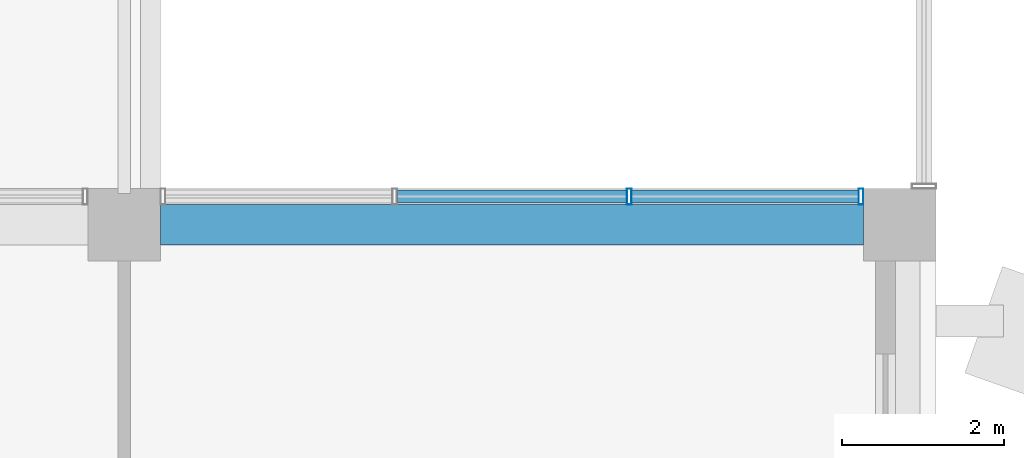
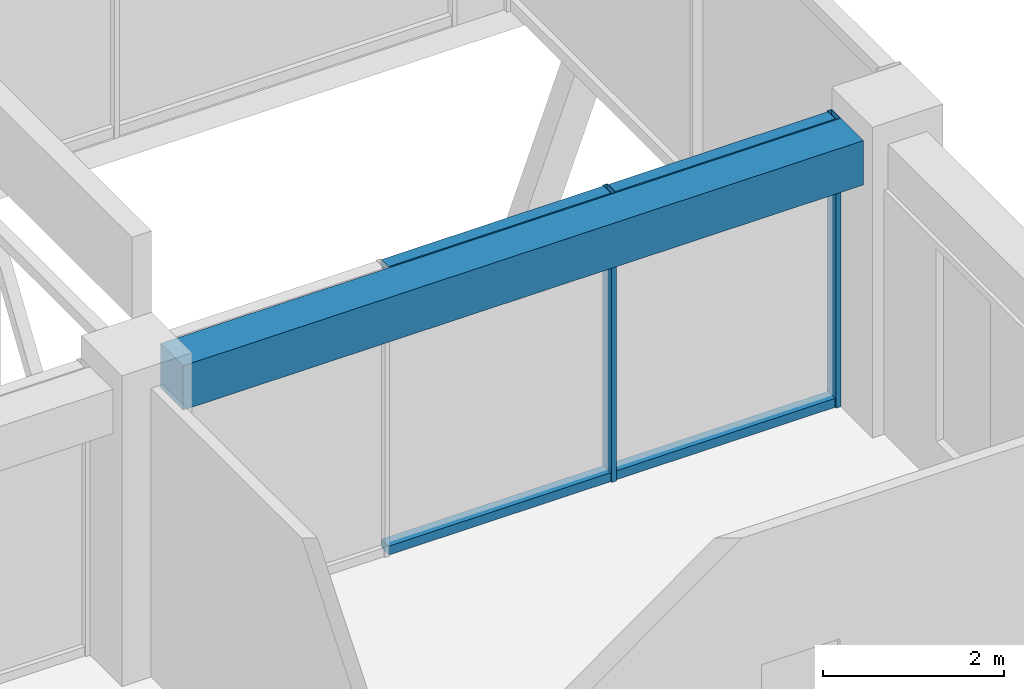
# One storey, part 18 of 38: 6 members, 1 beam, 1 element without a shape of its own.
"""IFC4 building model written with IfcOpenShell, lengths in metres."""

from ifc_helpers import new_model, si_unit, direction, frame, origin, origin_2d, place, context, subcontext, project, spatial, rectangle, hollow_rectangle, extrude, material, layer, layer_set, material_profile, profile_set, type_object, element, aggregate, save


model = new_model("IFC4")

# Units and contexts
model_context = context("Model", 3, precision=1e-05, world=origin(), true_north=direction((0.0, 1.0)))
body_context = subcontext(model_context, "Body", "Model", "MODEL_VIEW")
ifc_project = project(units=[si_unit("LENGTHUNIT", "METRE"), si_unit("AREAUNIT", "SQUARE_METRE"), si_unit("VOLUMEUNIT", "CUBIC_METRE"), si_unit("PLANEANGLEUNIT", "RADIAN"), si_unit("MASSUNIT", "GRAM", prefix="KILO")], contexts=[model_context])

# Site, building, storey
site_placement = place(None, origin())
site = spatial("IfcSite", under=ifc_project, at=site_placement, CompositionType="ELEMENT")
building_placement = place(site_placement, origin())
building = spatial("IfcBuilding", under=site, at=building_placement, Name="Nzadi Deep Aquarium and Research Tower", CompositionType="ELEMENT")
storey_placement = place(building_placement, frame((0.0, 0.0, 48.699951171875)))
storey = spatial("IfcBuildingStorey", under=building, at=storey_placement, Name="L09", CompositionType="ELEMENT", Elevation=48.699951171875)

# Curtain wall, members
ifc_material_1 = material(Name="Aluminium unitised frame", Category="aluminium")
ifc_layer = layer(ifc_material_1, 0.199951171875)
ifc_layer_set = layer_set([ifc_layer], Name="Aluminium unitised frame")
curtain_wall_type = type_object("IfcCurtainWallType", Name="Curtain wall Unitised 200", PredefinedType="NOTDEFINED", material=ifc_layer_set)
curtain_wall_placement = place(storey_placement, origin())
curtain_wall = element("IfcCurtainWall", 1, at=curtain_wall_placement, inside=storey, type_object=curtain_wall_type, Name="Unitised curtain wall blade A north L09", PredefinedType="NOTDEFINED")
ifc_material_2 = material(Name="Aluminium unitised frame", Category="aluminium")
ifc_material_profile_1 = material_profile(ifc_material_2, hollow_rectangle(XDim=0.199951171875, YDim=0.06005859375, WallThickness=0.0048828125, at=origin_2d()))
ifc_profile_set_1 = profile_set([ifc_material_profile_1], Name="Aluminium unitised frame")
member_type_1 = type_object("IfcMemberType", Name="Mullion 60x200 Unitised", PredefinedType="MULLION", material=ifc_profile_set_1)
member_1_placement = place(storey_placement, frame((44.64990234375, 18.75, 0.0), z_axis=(0.0, 0.0, 1.0), x_axis=(0.0, 1.0, 0.0)))
member_1 = element("IfcMember", 2, at=member_1_placement, type_object=member_type_1, Name="CW035 mullion 3", PredefinedType="MULLION", context=body_context, shape_type="SweptSolid", body=[
    extrude(hollow_rectangle(XDim=0.199951171875, YDim=0.06005859375, WallThickness=0.0048828125, at=origin_2d()), origin(), (0.0, 0.0, 1.0), 3.900146484375),
])
member_2_placement = place(storey_placement, frame((47.52001953125, 18.75, 0.0), z_axis=(0.0, 0.0, 1.0), x_axis=(0.0, 1.0, 0.0)))
member_2 = element("IfcMember", 3, at=member_2_placement, type_object=member_type_1, Name="CW035 mullion 4", PredefinedType="MULLION", context=body_context, shape_type="SweptSolid", body=[
    extrude(hollow_rectangle(XDim=0.199951171875, YDim=0.06005859375, WallThickness=0.0048828125, at=origin_2d()), origin(), (0.0, 0.0, 1.0), 3.900146484375),
])

# Beam
ifc_material_3 = material(Name="Concrete C35/45", Category="concrete")
ifc_material_profile_2 = material_profile(ifc_material_3, rectangle(XDim=0.5, YDim=0.60009765625, at=origin_2d()))
ifc_profile_set_2 = profile_set([ifc_material_profile_2], Name="Concrete C35/45")
beam_type = type_object("IfcBeamType", Name="RC 500x600", PredefinedType="BEAM", material=ifc_profile_set_2)
beam_placement = place(storey_placement, frame((38.85009765625, 18.39990234375, 3.60009765625), z_axis=(1.0, 0.0, 0.0), x_axis=(0.0, 1.0, 0.0)))
element("IfcBeam", 4, at=beam_placement, inside=storey, type_object=beam_type, Name="B-Z1-L09-L3-5", PredefinedType="BEAM", context=body_context, shape_type="SweptSolid", body=[
    extrude(rectangle(XDim=0.5, YDim=0.60009765625, at=origin_2d()), origin(), (0.0, 0.0, 1.0), 8.699951171875),
])

# Member
ifc_material_4 = material(Name="Aluminium unitised frame", Category="aluminium")
ifc_material_profile_3 = material_profile(ifc_material_4, hollow_rectangle(XDim=0.159912109375, YDim=0.1201171875, WallThickness=0.0048828125, at=origin_2d()))
ifc_profile_set_3 = profile_set([ifc_material_profile_3], Name="Aluminium unitised frame")
member_type_2 = type_object("IfcMemberType", Name="Transom 120x160 Unitised", PredefinedType="MULLION", material=ifc_profile_set_3)
member_3_placement = place(storey_placement, frame((41.780029296875, 18.75, 0.06005859375), z_axis=(1.0, 0.0, 0.0), x_axis=(0.0, 1.0, 0.0)))
member_3 = element("IfcMember", 5, at=member_3_placement, type_object=member_type_2, Name="CW035 transom 2.1", PredefinedType="MULLION", context=body_context, shape_type="SweptSolid", body=[
    extrude(hollow_rectangle(XDim=0.159912109375, YDim=0.1201171875, WallThickness=0.0048828125, at=origin_2d()), origin(), (0.0, 0.0, 1.0), 2.840087890625),
])

member_4_placement = place(storey_placement, frame((41.780029296875, 18.75, 3.840087890625), z_axis=(1.0, 0.0, 0.0), x_axis=(0.0, 1.0, 0.0)))
member_4 = element("IfcMember", 6, at=member_4_placement, type_object=member_type_2, Name="CW035 transom 2.2", PredefinedType="MULLION", context=body_context, shape_type="SweptSolid", body=[
    extrude(hollow_rectangle(XDim=0.159912109375, YDim=0.1201171875, WallThickness=0.0048828125, at=origin_2d()), origin(), (0.0, 0.0, 1.0), 2.840087890625),
])

member_5_placement = place(storey_placement, frame((44.679931640625, 18.75, 0.06005859375), z_axis=(1.0, 0.0, 0.0), x_axis=(0.0, 1.0, 0.0)))
member_5 = element("IfcMember", 7, at=member_5_placement, type_object=member_type_2, Name="CW035 transom 3.1", PredefinedType="MULLION", context=body_context, shape_type="SweptSolid", body=[
    extrude(hollow_rectangle(XDim=0.159912109375, YDim=0.1201171875, WallThickness=0.0048828125, at=origin_2d()), origin(), (0.0, 0.0, 1.0), 2.81005859375),
])

member_6_placement = place(storey_placement, frame((44.679931640625, 18.75, 3.840087890625), z_axis=(1.0, 0.0, 0.0), x_axis=(0.0, 1.0, 0.0)))
member_6 = element("IfcMember", 8, at=member_6_placement, type_object=member_type_2, Name="CW035 transom 3.2", PredefinedType="MULLION", context=body_context, shape_type="SweptSolid", body=[
    extrude(hollow_rectangle(XDim=0.159912109375, YDim=0.1201171875, WallThickness=0.0048828125, at=origin_2d()), origin(), (0.0, 0.0, 1.0), 2.81005859375),
])

aggregate(curtain_wall, [member_1, member_2, member_3, member_4, member_5, member_6])

save(model, "model.ifc")
